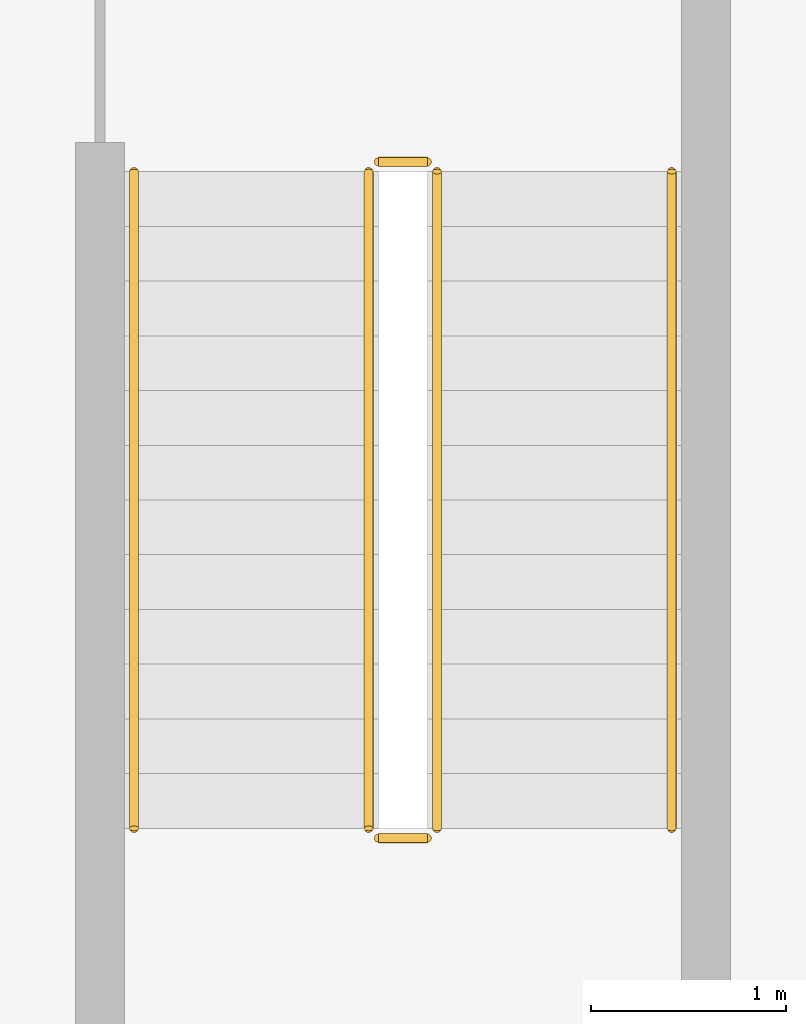
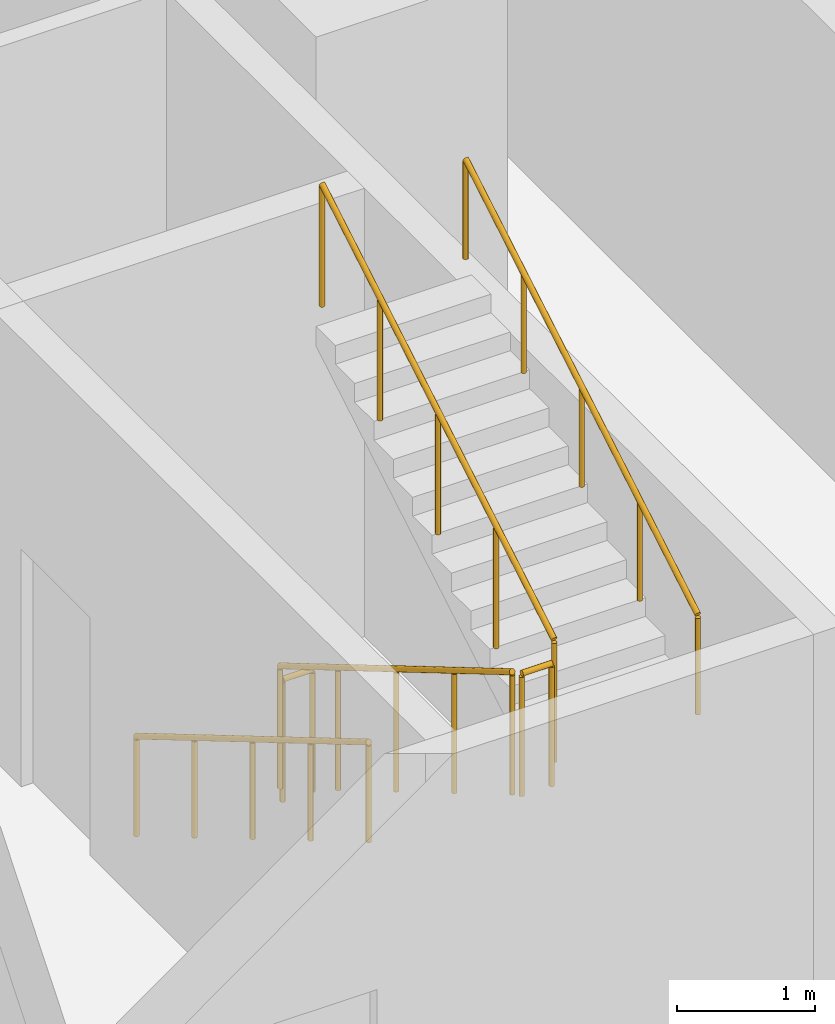
# One storey, part 23 of 27: 6 railings.
"""IFC4 building model written with IfcOpenShell, lengths in metres."""

from ifc_helpers import new_model, si_unit, direction, frame, origin, origin_2d, place, context, subcontext, project, spatial, circle, extrude, material, type_object, element, save


model = new_model("IFC4")

# Units and contexts
model_context = context("Model", 3, precision=1e-05, world=origin(), true_north=direction((0.0, 1.0)))
body_context = subcontext(model_context, "Body", "Model", "MODEL_VIEW")
ifc_project = project(units=[si_unit("LENGTHUNIT", "METRE"), si_unit("AREAUNIT", "SQUARE_METRE"), si_unit("VOLUMEUNIT", "CUBIC_METRE"), si_unit("PLANEANGLEUNIT", "RADIAN"), si_unit("MASSUNIT", "GRAM", prefix="KILO")], contexts=[model_context])

# Site, building, storey
site_placement = place(None, origin())
site = spatial("IfcSite", under=ifc_project, at=site_placement, CompositionType="ELEMENT")
building_placement = place(site_placement, origin())
building = spatial("IfcBuilding", under=site, at=building_placement, Name="Mahtab Terrace Research Tower", CompositionType="ELEMENT")
storey_placement = place(building_placement, frame((0.0, 0.0, 28.699951171875)))
storey = spatial("IfcBuildingStorey", under=building, at=storey_placement, Name="L06", CompositionType="ELEMENT", Elevation=28.699951171875)

# Railings
ifc_material = material(Name="Stainless steel AISI 304", Category="steel")
railing_type_1 = type_object("IfcRailingType", Name="Stair guard 1100", PredefinedType="GUARDRAIL", material=ifc_material)
railing_1_placement = place(storey_placement, frame((2.949951171875, -4.175048828125, 0.16552734375)))
element("IfcRailing", 1, at=railing_1_placement, inside=storey, type_object=railing_type_1, Name="L06 ST2 stair guard 1", PredefinedType="GUARDRAIL", context=body_context, shape_type="SweptSolid", body=[
    extrude(circle(Radius=0.02392578125, at=origin_2d()), frame((0.0, 0.0, 1.076171875), z_axis=(0.0, -0.861011212953, 0.508585972249), x_axis=(1.0, 0.0, 0.0)), (0.0, 0.0, 1.0), 3.90234375),
    extrude(circle(Radius=0.02099609375, at=origin_2d()), origin(), (0.0, 0.0, 1.0), 1.052001953125),
    extrude(circle(Radius=0.02099609375, at=origin_2d()), frame((0.0, -0.83984375, 0.49609375)), (0.0, 0.0, 1.0), 1.052001953125),
    extrude(circle(Radius=0.02099609375, at=origin_2d()), frame((0.0, -1.679931640625, 0.9921875)), (0.0, 0.0, 1.0), 1.052001953125),
    extrude(circle(Radius=0.02099609375, at=origin_2d()), frame((0.0, -2.52001953125, 1.488525390625)), (0.0, 0.0, 1.0), 1.052001953125),
    extrude(circle(Radius=0.02099609375, at=origin_2d()), frame((0.0, -3.35986328125, 1.984619140625)), (0.0, 0.0, 1.0), 1.052001953125),
])
railing_2_placement = place(storey_placement, frame((3.0, -7.5849609375, 2.150146484375)))
element("IfcRailing", 2, at=railing_2_placement, inside=storey, type_object=railing_type_1, Name="L06 ST2 stair guard 2", PredefinedType="GUARDRAIL", context=body_context, shape_type="SweptSolid", body=[
    extrude(circle(Radius=0.02392578125, at=origin_2d()), frame((0.0, 0.0, 1.076171875), z_axis=(1.0, 0.0, 0.0), x_axis=(0.0, 1.0, 0.0)), (0.0, 0.0, 1.0), 0.25),
    extrude(circle(Radius=0.02099609375, at=origin_2d()), origin(), (0.0, 0.0, 1.0), 1.052001953125),
    extrude(circle(Radius=0.02099609375, at=origin_2d()), frame((0.25, 0.0, 0.0)), (0.0, 0.0, 1.0), 1.052001953125),
])
railing_3_placement = place(storey_placement, frame((3.300048828125, -7.534912109375, 2.3154296875)))
element("IfcRailing", 3, at=railing_3_placement, inside=storey, type_object=railing_type_1, Name="L06 ST2 stair guard 3", PredefinedType="GUARDRAIL", context=body_context, shape_type="SweptSolid", body=[
    extrude(circle(Radius=0.02392578125, at=origin_2d()), frame((0.0, 0.0, 1.076171875), z_axis=(0.0, 0.861011212953, 0.508585972249), x_axis=(-1.0, 0.0, 0.0)), (0.0, 0.0, 1.0), 3.90234375),
    extrude(circle(Radius=0.02099609375, at=origin_2d()), origin(), (0.0, 0.0, 1.0), 1.052001953125),
    extrude(circle(Radius=0.02099609375, at=origin_2d()), frame((0.0, 0.83984375, 0.49609375)), (0.0, 0.0, 1.0), 1.052001953125),
    extrude(circle(Radius=0.02099609375, at=origin_2d()), frame((0.0, 1.679931640625, 0.9921875)), (0.0, 0.0, 1.0), 1.052001953125),
    extrude(circle(Radius=0.02099609375, at=origin_2d()), frame((0.0, 2.52001953125, 1.488525390625)), (0.0, 0.0, 1.0), 1.052001953125),
    extrude(circle(Radius=0.02099609375, at=origin_2d()), frame((0.0, 3.35986328125, 1.984619140625)), (0.0, 0.0, 1.0), 1.052001953125),
])
railing_4_placement = place(storey_placement, frame((3.0, -4.125, 0.0)))
element("IfcRailing", 4, at=railing_4_placement, inside=storey, type_object=railing_type_1, Name="L06 ST2 stair guard 4", PredefinedType="GUARDRAIL", context=body_context, shape_type="SweptSolid", body=[
    extrude(circle(Radius=0.02392578125, at=origin_2d()), frame((0.0, 0.0, 1.076171875), z_axis=(1.0, 0.0, 0.0), x_axis=(0.0, 1.0, 0.0)), (0.0, 0.0, 1.0), 0.25),
    extrude(circle(Radius=0.02099609375, at=origin_2d()), origin(), (0.0, 0.0, 1.0), 1.052001953125),
    extrude(circle(Radius=0.02099609375, at=origin_2d()), frame((0.25, 0.0, 0.0)), (0.0, 0.0, 1.0), 1.052001953125),
])
railing_type_2 = type_object("IfcRailingType", Name="Stair handrail 900", PredefinedType="HANDRAIL", material=ifc_material)
railing_5_placement = place(storey_placement, frame((1.75, -4.175048828125, 0.16552734375)))
element("IfcRailing", 5, at=railing_5_placement, inside=storey, type_object=railing_type_2, Name="L06 ST2 stair handrail 1", PredefinedType="HANDRAIL", context=body_context, shape_type="SweptSolid", body=[
    extrude(circle(Radius=0.02392578125, at=origin_2d()), frame((0.0, 0.0, 0.8759765625), z_axis=(0.0, -0.861011212953, 0.508585972249), x_axis=(1.0, 0.0, 0.0)), (0.0, 0.0, 1.0), 3.90234375),
    extrude(circle(Radius=0.02099609375, at=origin_2d()), origin(), (0.0, 0.0, 1.0), 0.851806640625),
    extrude(circle(Radius=0.02099609375, at=origin_2d()), frame((0.0, -0.83984375, 0.49609375)), (0.0, 0.0, 1.0), 0.851806640625),
    extrude(circle(Radius=0.02099609375, at=origin_2d()), frame((0.0, -1.679931640625, 0.9921875)), (0.0, 0.0, 1.0), 0.851806640625),
    extrude(circle(Radius=0.02099609375, at=origin_2d()), frame((0.0, -2.52001953125, 1.488525390625)), (0.0, 0.0, 1.0), 0.851806640625),
    extrude(circle(Radius=0.02099609375, at=origin_2d()), frame((0.0, -3.35986328125, 1.984619140625)), (0.0, 0.0, 1.0), 0.851806640625),
])
railing_6_placement = place(storey_placement, frame((4.5, -7.534912109375, 2.3154296875)))
element("IfcRailing", 6, at=railing_6_placement, inside=storey, type_object=railing_type_2, Name="L06 ST2 stair handrail 2", PredefinedType="HANDRAIL", context=body_context, shape_type="SweptSolid", body=[
    extrude(circle(Radius=0.02392578125, at=origin_2d()), frame((0.0, 0.0, 0.8759765625), z_axis=(0.0, 0.861011212953, 0.508585972249), x_axis=(-1.0, 0.0, 0.0)), (0.0, 0.0, 1.0), 3.90234375),
    extrude(circle(Radius=0.02099609375, at=origin_2d()), origin(), (0.0, 0.0, 1.0), 0.851806640625),
    extrude(circle(Radius=0.02099609375, at=origin_2d()), frame((0.0, 0.83984375, 0.49609375)), (0.0, 0.0, 1.0), 0.851806640625),
    extrude(circle(Radius=0.02099609375, at=origin_2d()), frame((0.0, 1.679931640625, 0.9921875)), (0.0, 0.0, 1.0), 0.851806640625),
    extrude(circle(Radius=0.02099609375, at=origin_2d()), frame((0.0, 2.52001953125, 1.488525390625)), (0.0, 0.0, 1.0), 0.851806640625),
    extrude(circle(Radius=0.02099609375, at=origin_2d()), frame((0.0, 3.35986328125, 1.984619140625)), (0.0, 0.0, 1.0), 0.851806640625),
])

save(model, "model.ifc")
